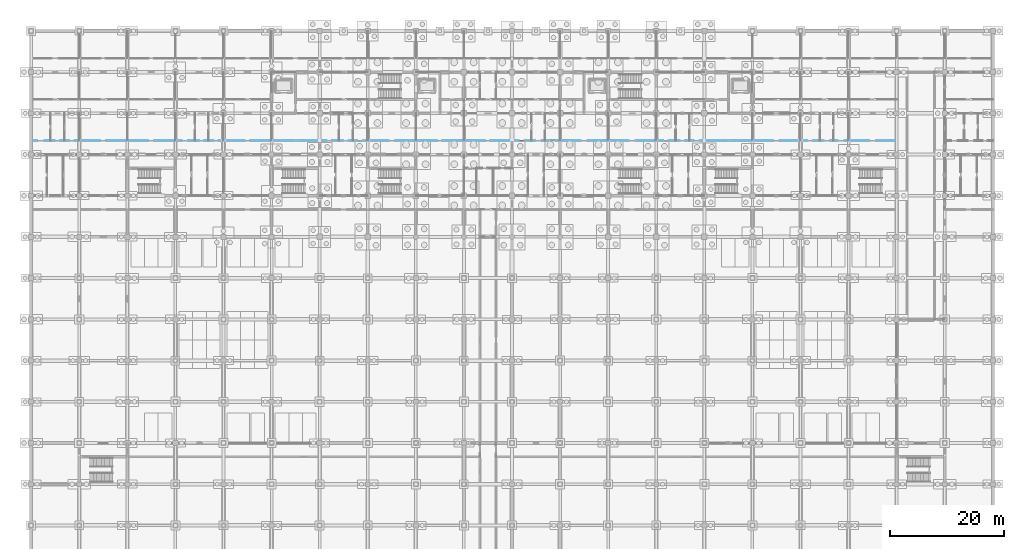
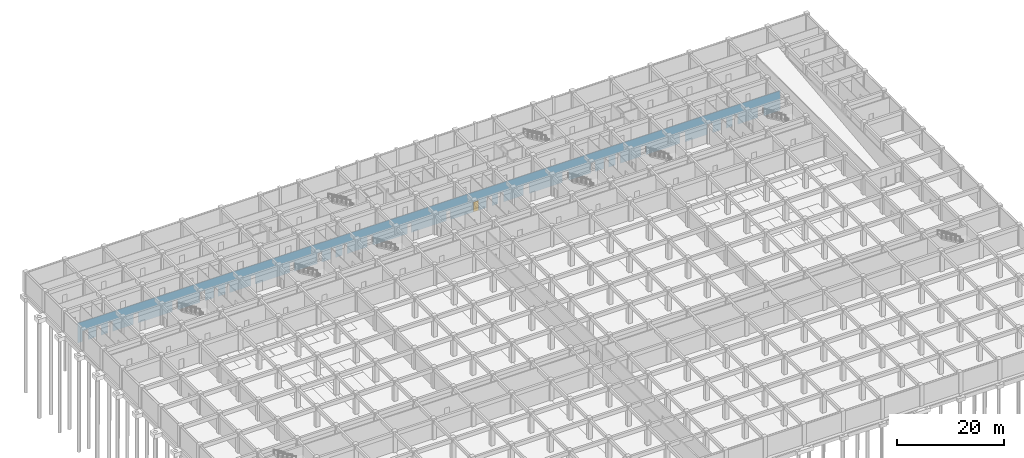
# One storey, part 57 of 85: 1 door, 30 openings, plus 1 element that does not belong to this part.
"""IFC4 building model written with IfcOpenShell, lengths in metres."""

from ifc_helpers import new_model, si_unit, direction, frame, frame_2d, origin, place, context, subcontext, project, spatial, rectangle, extrude, material, layer, layer_set, type_object, element, fill, save


model = new_model("IFC4")

# Units and contexts
model_context = context("Model", 3, precision=1e-05, world=origin(), true_north=direction((0.0, 1.0)))
body_context = subcontext(model_context, "Body", "Model", "MODEL_VIEW")
ifc_project = project(units=[si_unit("LENGTHUNIT", "METRE"), si_unit("AREAUNIT", "SQUARE_METRE"), si_unit("VOLUMEUNIT", "CUBIC_METRE"), si_unit("PLANEANGLEUNIT", "RADIAN"), si_unit("MASSUNIT", "GRAM", prefix="KILO")], contexts=[model_context])

# Site, building, storey
site_placement = place(None, origin())
site = spatial("IfcSite", under=ifc_project, at=site_placement, CompositionType="ELEMENT")
building_placement = place(site_placement, origin())
building = spatial("IfcBuilding", under=site, at=building_placement, Name="Chengyuan Square Courthouse", CompositionType="ELEMENT")
storey_placement = place(building_placement, frame((0.0, 0.0, -10.199951171875)))
storey = spatial("IfcBuildingStorey", under=building, at=storey_placement, Name="B02", CompositionType="ELEMENT", Elevation=-10.199951171875)

# Wall, openings, door
ifc_material_1 = material(Name="Gypsum Plasterboard Acoustic Stud Partition")
ifc_layer = layer(ifc_material_1, 0.10009765625)
ifc_layer_set = layer_set([ifc_layer], Name="Gypsum Plasterboard Acoustic Stud Partition")
wall_type = type_object("IfcWallType", Name="WL-PT6", PredefinedType="STANDARD", material=ifc_layer_set)
wall_placement = place(storey_placement, frame((0.0400390625, 96.0, 0.0), z_axis=(0.0, 0.0, 1.0), x_axis=(1.0, 0.0, 0.0)))
wall = element("IfcWall", 1, at=wall_placement, inside=storey, type_object=wall_type, Name="Interior Wall WL-B02-I062", PredefinedType="STANDARD", context=body_context, shape_type="SweptSolid", body=[
    extrude(rectangle(XDim=151.159912109375, YDim=0.10009765625, at=frame_2d((75.580078125, 0.0))), origin(), (0.0, 0.0, 1.0), 4.47998046875),
])
opening_1_placement = place(wall_placement, frame((1.0400390625, 0.0, 0.0)))
element("IfcOpeningElement", 2, at=opening_1_placement, cuts=wall, Name="Opening DR-148", PredefinedType="OPENING", context=body_context, shape_type="SweptSolid", body=[
    extrude(rectangle(XDim=1.280029296875, YDim=2.35009765625, at=frame_2d((0.64013671875, 1.175048828125))), frame((0.0, 0.06201171875, 0.0), z_axis=(0.0, -1.0, 0.0), x_axis=(1.0, 0.0, 0.0)), (0.0, 0.0, 1.0), 0.1240234375),
])
opening_2_placement = place(wall_placement, frame((4.090087890625, 0.0, 0.0)))
element("IfcOpeningElement", 3, at=opening_2_placement, cuts=wall, Name="Opening DR-149", PredefinedType="OPENING", context=body_context, shape_type="SweptSolid", body=[
    extrude(rectangle(XDim=0.93994140625, YDim=2.300048828125, at=frame_2d((0.469970703125, 1.14990234375))), frame((0.0, 0.06201171875, 0.0), z_axis=(0.0, -1.0, 0.0), x_axis=(1.0, 0.0, 0.0)), (0.0, 0.0, 1.0), 0.1240234375),
])
opening_3_placement = place(wall_placement, frame((6.570068359375, 0.0, 0.0)))
element("IfcOpeningElement", 4, at=opening_3_placement, cuts=wall, Name="Opening DR-150", PredefinedType="OPENING", context=body_context, shape_type="SweptSolid", body=[
    extrude(rectangle(XDim=0.97998046875, YDim=2.35009765625, at=frame_2d((0.489990234375, 1.175048828125))), frame((0.0, 0.06201171875, 0.0), z_axis=(0.0, -1.0, 0.0), x_axis=(1.0, 0.0, 0.0)), (0.0, 0.0, 1.0), 0.1240234375),
])
opening_4_placement = place(wall_placement, frame((12.050048828125, 0.0, 0.0)))
element("IfcOpeningElement", 5, at=opening_4_placement, cuts=wall, Name="Opening DR-151", PredefinedType="OPENING", context=body_context, shape_type="SweptSolid", body=[
    extrude(rectangle(XDim=1.02001953125, YDim=2.39990234375, at=frame_2d((0.510009765625, 1.199951171875))), frame((0.0, 0.06201171875, 0.0), z_axis=(0.0, -1.0, 0.0), x_axis=(1.0, 0.0, 0.0)), (0.0, 0.0, 1.0), 0.1240234375),
])
opening_5_placement = place(wall_placement, frame((20.429931640625, 0.0, 0.0)))
element("IfcOpeningElement", 6, at=opening_5_placement, cuts=wall, Name="Opening DR-152", PredefinedType="OPENING", context=body_context, shape_type="SweptSolid", body=[
    extrude(rectangle(XDim=1.06005859375, YDim=2.39990234375, at=frame_2d((0.530029296875, 1.199951171875))), frame((0.0, 0.06201171875, 0.0), z_axis=(0.0, -1.0, 0.0), x_axis=(1.0, 0.0, 0.0)), (0.0, 0.0, 1.0), 0.1240234375),
])
opening_6_placement = place(wall_placement, frame((26.2900390625, 0.0, 0.0)))
element("IfcOpeningElement", 7, at=opening_6_placement, cuts=wall, Name="Opening DR-153", PredefinedType="OPENING", context=body_context, shape_type="SweptSolid", body=[
    extrude(rectangle(XDim=1.139892578125, YDim=2.39990234375, at=frame_2d((0.56982421875, 1.199951171875))), frame((0.0, 0.06201171875, 0.0), z_axis=(0.0, -1.0, 0.0), x_axis=(1.0, 0.0, 0.0)), (0.0, 0.0, 1.0), 0.1240234375),
])
opening_7_placement = place(wall_placement, frame((29.31005859375, 0.0, 0.0)))
element("IfcOpeningElement", 8, at=opening_7_placement, cuts=wall, Name="Opening DR-154", PredefinedType="OPENING", context=body_context, shape_type="SweptSolid", body=[
    extrude(rectangle(XDim=0.89990234375, YDim=2.14990234375, at=frame_2d((0.449951171875, 1.074951171875))), frame((0.0, 0.06201171875, 0.0), z_axis=(0.0, -1.0, 0.0), x_axis=(1.0, 0.0, 0.0)), (0.0, 0.0, 1.0), 0.1240234375),
])
opening_8_placement = place(wall_placement, frame((31.830078125, 0.0, 0.0)))
element("IfcOpeningElement", 9, at=opening_8_placement, cuts=wall, Name="Opening DR-155", PredefinedType="OPENING", context=body_context, shape_type="SweptSolid", body=[
    extrude(rectangle(XDim=0.860107421875, YDim=2.10009765625, at=frame_2d((0.43017578125, 1.050048828125))), frame((0.0, 0.06201171875, 0.0), z_axis=(0.0, -1.0, 0.0), x_axis=(1.0, 0.0, 0.0)), (0.0, 0.0, 1.0), 0.1240234375),
])
opening_9_placement = place(wall_placement, frame((37.300048828125, 0.0, 0.0)))
element("IfcOpeningElement", 10, at=opening_9_placement, cuts=wall, Name="Opening DR-156", PredefinedType="OPENING", context=body_context, shape_type="SweptSolid", body=[
    extrude(rectangle(XDim=0.919921875, YDim=2.14990234375, at=frame_2d((0.4599609375, 1.074951171875))), frame((0.0, 0.06201171875, 0.0), z_axis=(0.0, -1.0, 0.0), x_axis=(1.0, 0.0, 0.0)), (0.0, 0.0, 1.0), 0.1240234375),
])
opening_10_placement = place(wall_placement, frame((45.679931640625, 0.0, 0.0)))
element("IfcOpeningElement", 11, at=opening_10_placement, cuts=wall, Name="Opening DR-157", PredefinedType="OPENING", context=body_context, shape_type="SweptSolid", body=[
    extrude(rectangle(XDim=0.9599609375, YDim=2.199951171875, at=frame_2d((0.47998046875, 1.10009765625))), frame((0.0, 0.06201171875, 0.0), z_axis=(0.0, -1.0, 0.0), x_axis=(1.0, 0.0, 0.0)), (0.0, 0.0, 1.0), 0.1240234375),
])
opening_11_placement = place(wall_placement, frame((51.570068359375, 0.0, 0.0)))
element("IfcOpeningElement", 12, at=opening_11_placement, cuts=wall, Name="Opening DR-167", PredefinedType="OPENING", context=body_context, shape_type="SweptSolid", body=[
    extrude(rectangle(XDim=0.97998046875, YDim=2.35009765625, at=frame_2d((0.489990234375, 1.175048828125))), frame((0.0, 0.06201171875, 0.0), z_axis=(0.0, -1.0, 0.0), x_axis=(1.0, 0.0, 0.0)), (0.0, 0.0, 1.0), 0.1240234375),
])
opening_12_placement = place(wall_placement, frame((54.449951171875, 0.0, 0.0)))
element("IfcOpeningElement", 13, at=opening_12_placement, cuts=wall, Name="Opening DR-168", PredefinedType="OPENING", context=body_context, shape_type="SweptSolid", body=[
    extrude(rectangle(XDim=1.02001953125, YDim=2.39990234375, at=frame_2d((0.510009765625, 1.199951171875))), frame((0.0, 0.06201171875, 0.0), z_axis=(0.0, -1.0, 0.0), x_axis=(1.0, 0.0, 0.0)), (0.0, 0.0, 1.0), 0.1240234375),
])
opening_13_placement = place(wall_placement, frame((56.929931640625, 0.0, 0.0)))
element("IfcOpeningElement", 14, at=opening_13_placement, cuts=wall, Name="Opening DR-169", PredefinedType="OPENING", context=body_context, shape_type="SweptSolid", body=[
    extrude(rectangle(XDim=1.06005859375, YDim=2.39990234375, at=frame_2d((0.530029296875, 1.199951171875))), frame((0.0, 0.06201171875, 0.0), z_axis=(0.0, -1.0, 0.0), x_axis=(1.0, 0.0, 0.0)), (0.0, 0.0, 1.0), 0.1240234375),
])
opening_14_placement = place(wall_placement, frame((62.389892578125, 0.0, 0.0)))
element("IfcOpeningElement", 15, at=opening_14_placement, cuts=wall, Name="Opening DR-170", PredefinedType="OPENING", context=body_context, shape_type="SweptSolid", body=[
    extrude(rectangle(XDim=1.139892578125, YDim=2.39990234375, at=frame_2d((0.56982421875, 1.199951171875))), frame((0.0, 0.06201171875, 0.0), z_axis=(0.0, -1.0, 0.0), x_axis=(1.0, 0.0, 0.0)), (0.0, 0.0, 1.0), 0.1240234375),
])
opening_15_placement = place(wall_placement, frame((70.909912109375, 0.0, 0.0)))
element("IfcOpeningElement", 16, at=opening_15_placement, cuts=wall, Name="Opening DR-171", PredefinedType="OPENING", context=body_context, shape_type="SweptSolid", body=[
    extrude(rectangle(XDim=0.89990234375, YDim=2.14990234375, at=frame_2d((0.449951171875, 1.074951171875))), frame((0.0, 0.06201171875, 0.0), z_axis=(0.0, -1.0, 0.0), x_axis=(1.0, 0.0, 0.0)), (0.0, 0.0, 1.0), 0.1240234375),
])
opening_16_placement = place(wall_placement, frame((79.330078125, 0.0, 0.0)))
element("IfcOpeningElement", 17, at=opening_16_placement, cuts=wall, Name="Opening DR-172", PredefinedType="OPENING", context=body_context, shape_type="SweptSolid", body=[
    extrude(rectangle(XDim=0.860107421875, YDim=2.10009765625, at=frame_2d((0.43017578125, 1.050048828125))), frame((0.0, 0.06201171875, 0.0), z_axis=(0.0, -1.0, 0.0), x_axis=(1.0, 0.0, 0.0)), (0.0, 0.0, 1.0), 0.1240234375),
])
opening_17_placement = place(wall_placement, frame((85.10009765625, 0.0, 0.0)))
opening_17 = element("IfcOpeningElement", 18, at=opening_17_placement, cuts=wall, Name="Opening DR-178", PredefinedType="OPENING", context=body_context, shape_type="SweptSolid", body=[
    extrude(rectangle(XDim=1.1201171875, YDim=2.25, at=frame_2d((0.56005859375, 1.125))), frame((0.0, 0.06201171875, 0.0), z_axis=(0.0, -1.0, 0.0), x_axis=(1.0, 0.0, 0.0)), (0.0, 0.0, 1.0), 0.1240234375),
])
opening_18_placement = place(wall_placement, frame((87.97998046875, 0.0, 0.0)))
element("IfcOpeningElement", 19, at=opening_18_placement, cuts=wall, Name="Opening DR-179", PredefinedType="OPENING", context=body_context, shape_type="SweptSolid", body=[
    extrude(rectangle(XDim=1.159912109375, YDim=2.300048828125, at=frame_2d((0.580078125, 1.14990234375))), frame((0.0, 0.06201171875, 0.0), z_axis=(0.0, -1.0, 0.0), x_axis=(1.0, 0.0, 0.0)), (0.0, 0.0, 1.0), 0.1240234375),
])
opening_19_placement = place(wall_placement, frame((90.4599609375, 0.0, 0.0)))
element("IfcOpeningElement", 20, at=opening_19_placement, cuts=wall, Name="Opening DR-180", PredefinedType="OPENING", context=body_context, shape_type="SweptSolid", body=[
    extrude(rectangle(XDim=1.199951171875, YDim=2.35009765625, at=frame_2d((0.60009765625, 1.175048828125))), frame((0.0, 0.06201171875, 0.0), z_axis=(0.0, -1.0, 0.0), x_axis=(1.0, 0.0, 0.0)), (0.0, 0.0, 1.0), 0.1240234375),
])
opening_20_placement = place(wall_placement, frame((95.93994140625, 0.0, 0.0)))
element("IfcOpeningElement", 21, at=opening_20_placement, cuts=wall, Name="Opening DR-181", PredefinedType="OPENING", context=body_context, shape_type="SweptSolid", body=[
    extrude(rectangle(XDim=1.239990234375, YDim=2.300048828125, at=frame_2d((0.6201171875, 1.14990234375))), frame((0.0, 0.06201171875, 0.0), z_axis=(0.0, -1.0, 0.0), x_axis=(1.0, 0.0, 0.0)), (0.0, 0.0, 1.0), 0.1240234375),
])
opening_21_placement = place(wall_placement, frame((104.320068359375, 0.0, 0.0)))
element("IfcOpeningElement", 22, at=opening_21_placement, cuts=wall, Name="Opening DR-182", PredefinedType="OPENING", context=body_context, shape_type="SweptSolid", body=[
    extrude(rectangle(XDim=1.280029296875, YDim=2.35009765625, at=frame_2d((0.64013671875, 1.175048828125))), frame((0.0, 0.06201171875, 0.0), z_axis=(0.0, -1.0, 0.0), x_axis=(1.0, 0.0, 0.0)), (0.0, 0.0, 1.0), 0.1240234375),
])
opening_22_placement = place(wall_placement, frame((110.389892578125, 0.0, 0.0)))
element("IfcOpeningElement", 23, at=opening_22_placement, cuts=wall, Name="Opening DR-183", PredefinedType="OPENING", context=body_context, shape_type="SweptSolid", body=[
    extrude(rectangle(XDim=0.93994140625, YDim=2.300048828125, at=frame_2d((0.469970703125, 1.14990234375))), frame((0.0, 0.06201171875, 0.0), z_axis=(0.0, -1.0, 0.0), x_axis=(1.0, 0.0, 0.0)), (0.0, 0.0, 1.0), 0.1240234375),
])
opening_23_placement = place(wall_placement, frame((113.27001953125, 0.0, 0.0)))
element("IfcOpeningElement", 24, at=opening_23_placement, cuts=wall, Name="Opening DR-184", PredefinedType="OPENING", context=body_context, shape_type="SweptSolid", body=[
    extrude(rectangle(XDim=0.97998046875, YDim=2.35009765625, at=frame_2d((0.489990234375, 1.175048828125))), frame((0.0, 0.06201171875, 0.0), z_axis=(0.0, -1.0, 0.0), x_axis=(1.0, 0.0, 0.0)), (0.0, 0.0, 1.0), 0.1240234375),
])
opening_24_placement = place(wall_placement, frame((115.75, 0.0, 0.0)))
element("IfcOpeningElement", 25, at=opening_24_placement, cuts=wall, Name="Opening DR-185", PredefinedType="OPENING", context=body_context, shape_type="SweptSolid", body=[
    extrude(rectangle(XDim=1.02001953125, YDim=2.39990234375, at=frame_2d((0.510009765625, 1.199951171875))), frame((0.0, 0.06201171875, 0.0), z_axis=(0.0, -1.0, 0.0), x_axis=(1.0, 0.0, 0.0)), (0.0, 0.0, 1.0), 0.1240234375),
])
opening_25_placement = place(wall_placement, frame((121.239990234375, 0.0, 0.0)))
element("IfcOpeningElement", 26, at=opening_25_placement, cuts=wall, Name="Opening DR-193", PredefinedType="OPENING", context=body_context, shape_type="SweptSolid", body=[
    extrude(rectangle(XDim=1.0400390625, YDim=2.199951171875, at=frame_2d((0.52001953125, 1.10009765625))), frame((0.0, 0.06201171875, 0.0), z_axis=(0.0, -1.0, 0.0), x_axis=(1.0, 0.0, 0.0)), (0.0, 0.0, 1.0), 0.1240234375),
])
opening_26_placement = place(wall_placement, frame((129.6201171875, 0.0, 0.0)))
element("IfcOpeningElement", 27, at=opening_26_placement, cuts=wall, Name="Opening DR-194", PredefinedType="OPENING", context=body_context, shape_type="SweptSolid", body=[
    extrude(rectangle(XDim=1.080078125, YDim=2.25, at=frame_2d((0.5400390625, 1.125))), frame((0.0, 0.06201171875, 0.0), z_axis=(0.0, -1.0, 0.0), x_axis=(1.0, 0.0, 0.0)), (0.0, 0.0, 1.0), 0.1240234375),
])
opening_27_placement = place(wall_placement, frame((135.5, 0.0, 0.0)))
element("IfcOpeningElement", 28, at=opening_27_placement, cuts=wall, Name="Opening DR-195", PredefinedType="OPENING", context=body_context, shape_type="SweptSolid", body=[
    extrude(rectangle(XDim=1.1201171875, YDim=2.25, at=frame_2d((0.56005859375, 1.125))), frame((0.0, 0.06201171875, 0.0), z_axis=(0.0, -1.0, 0.0), x_axis=(1.0, 0.0, 0.0)), (0.0, 0.0, 1.0), 0.1240234375),
])
opening_28_placement = place(wall_placement, frame((138.3798828125, 0.0, 0.0)))
element("IfcOpeningElement", 29, at=opening_28_placement, cuts=wall, Name="Opening DR-196", PredefinedType="OPENING", context=body_context, shape_type="SweptSolid", body=[
    extrude(rectangle(XDim=1.159912109375, YDim=2.300048828125, at=frame_2d((0.580078125, 1.14990234375))), frame((0.0, 0.06201171875, 0.0), z_axis=(0.0, -1.0, 0.0), x_axis=(1.0, 0.0, 0.0)), (0.0, 0.0, 1.0), 0.1240234375),
])
opening_29_placement = place(wall_placement, frame((140.860107421875, 0.0, 0.0)))
element("IfcOpeningElement", 30, at=opening_29_placement, cuts=wall, Name="Opening DR-197", PredefinedType="OPENING", context=body_context, shape_type="SweptSolid", body=[
    extrude(rectangle(XDim=1.199951171875, YDim=2.35009765625, at=frame_2d((0.60009765625, 1.175048828125))), frame((0.0, 0.06201171875, 0.0), z_axis=(0.0, -1.0, 0.0), x_axis=(1.0, 0.0, 0.0)), (0.0, 0.0, 1.0), 0.1240234375),
])
opening_30_placement = place(wall_placement, frame((146.340087890625, 0.0, 0.0)))
element("IfcOpeningElement", 31, at=opening_30_placement, cuts=wall, Name="Opening DR-198", PredefinedType="OPENING", context=body_context, shape_type="SweptSolid", body=[
    extrude(rectangle(XDim=1.239990234375, YDim=2.300048828125, at=frame_2d((0.6201171875, 1.14990234375))), frame((0.0, 0.06201171875, 0.0), z_axis=(0.0, -1.0, 0.0), x_axis=(1.0, 0.0, 0.0)), (0.0, 0.0, 1.0), 0.1240234375),
])
ifc_material_2 = material(Name="Acoustic Solid-Core Timber Door", Category="wood")
door_type = type_object("IfcDoorType", Name="DT-34", OperationType="NOTDEFINED", PredefinedType="DOOR", material=ifc_material_2)
door_placement = place(opening_17_placement, origin())
door = element("IfcDoor", 32, at=door_placement, inside=storey, type_object=door_type, Name="Interior Door DR-178", OperationType="SINGLE_SWING_LEFT", OverallHeight=2.25, OverallWidth=1.1201171875, PredefinedType="DOOR", context=body_context, shape_type="SweptSolid", body=[
    extrude(rectangle(XDim=1.1201171875, YDim=2.25, at=frame_2d((0.56005859375, 1.125))), frame((0.0, 0.02490234375, 0.0), z_axis=(0.0, -1.0, 0.0), x_axis=(1.0, 0.0, 0.0)), (0.0, 0.0, 1.0), 0.050048828125),
])
fill(opening_17, door)

save(model, "model.ifc")
